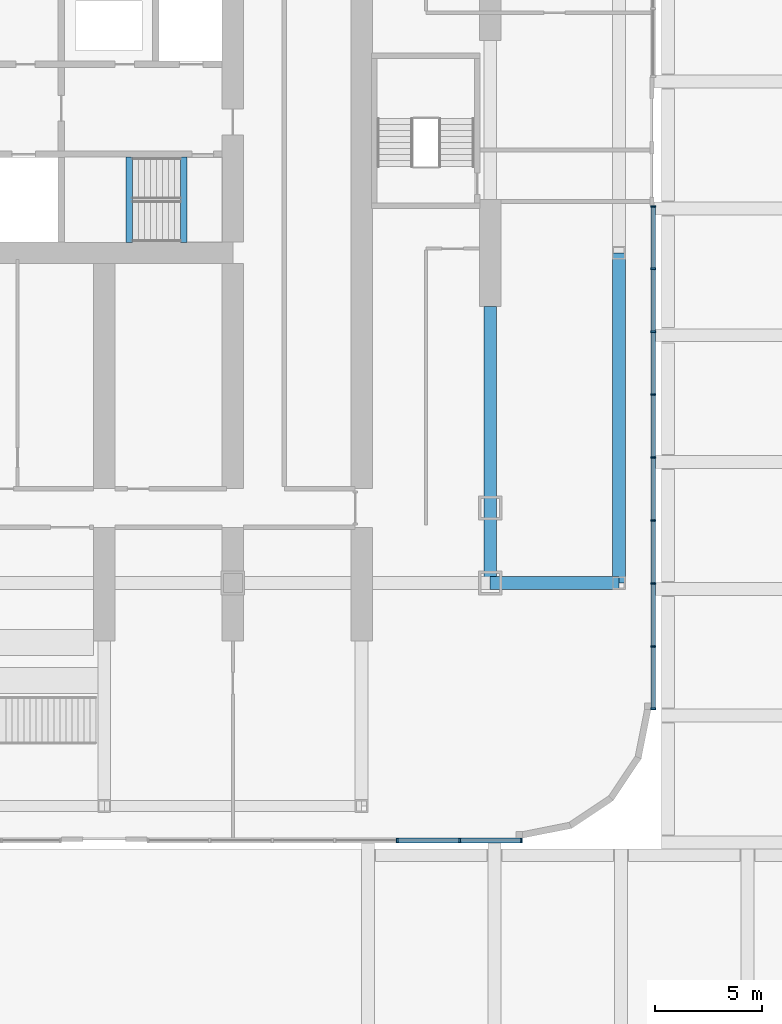
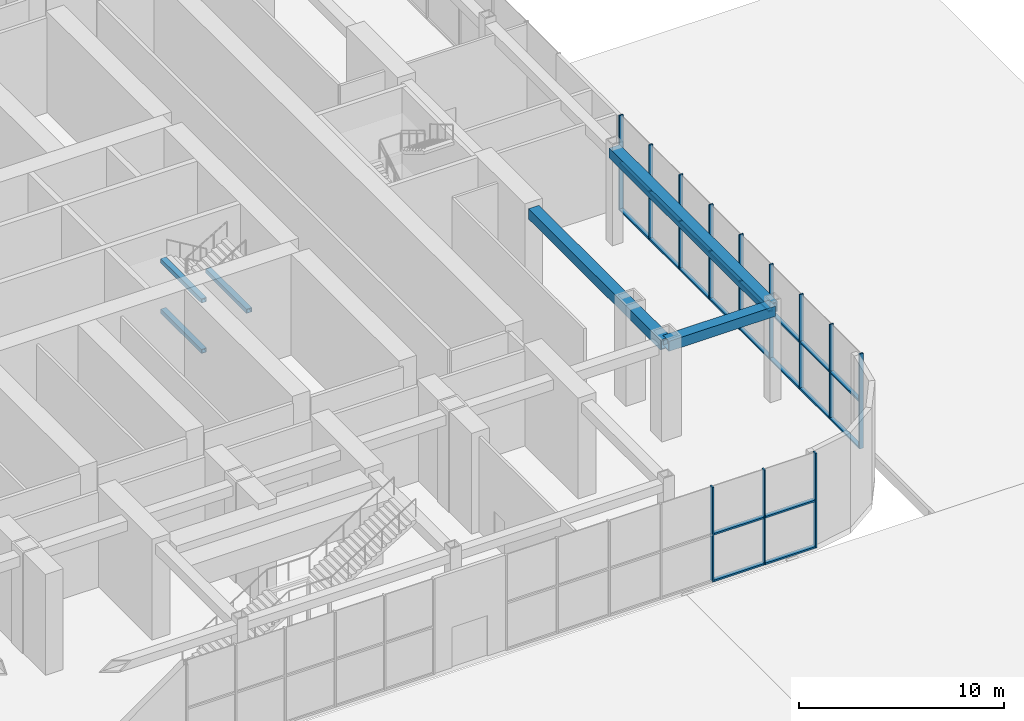
# One storey, part 10 of 57: 32 members, 6 beams, 2 elements without a shape of their own.
"""IFC4 building model written with IfcOpenShell, lengths in metres."""

from ifc_helpers import new_model, si_unit, direction, frame, origin, origin_2d, place, context, subcontext, project, spatial, rectangle, hollow_rectangle, extrude, material, material_profile, profile_set, type_object, element, aggregate, save


model = new_model("IFC4")

# Units and contexts
model_context = context("Model", 3, precision=1e-05, world=origin(), true_north=direction((0.0, 1.0)))
body_context = subcontext(model_context, "Body", "Model", "MODEL_VIEW")
ifc_project = project(units=[si_unit("LENGTHUNIT", "METRE"), si_unit("AREAUNIT", "SQUARE_METRE"), si_unit("VOLUMEUNIT", "CUBIC_METRE"), si_unit("PLANEANGLEUNIT", "RADIAN"), si_unit("MASSUNIT", "GRAM", prefix="KILO")], contexts=[model_context])

# Site, building, storey
site_placement = place(None, origin())
site = spatial("IfcSite", under=ifc_project, at=site_placement, CompositionType="ELEMENT")
building_placement = place(site_placement, origin())
building = spatial("IfcBuilding", under=site, at=building_placement, Name="Orbita Commons", CompositionType="ELEMENT")
storey_placement = place(building_placement, origin())
storey = spatial("IfcBuildingStorey", under=building, at=storey_placement, Name="L00", CompositionType="ELEMENT", Elevation=0.0)

# Curtain wall, members
ifc_material_1 = material(Name="Anodised aluminium frame, pale silver", Category="aluminium")
curtain_wall_type = type_object("IfcCurtainWallType", Name="Lobby curtain wall CW-L", PredefinedType="NOTDEFINED", material=ifc_material_1)
curtain_wall_1_placement = place(storey_placement, origin())
curtain_wall_1 = element("IfcCurtainWall", 1, at=curtain_wall_1_placement, inside=storey, type_object=curtain_wall_type, Name="Curtain wall S 4 L00", PredefinedType="NOTDEFINED")
ifc_material_2 = material(Name="Anodised aluminium, pale silver", Category="aluminium")
ifc_material_profile_1 = material_profile(ifc_material_2, rectangle(XDim=0.080078125, YDim=0.219970703125, at=origin_2d()), Name="AL 80x220")
ifc_profile_set_1 = profile_set([ifc_material_profile_1], Name="Anodised aluminium, pale silver")
member_type_1 = type_object("IfcMemberType", Name="Curtain wall mullion 80x220", PredefinedType="MULLION", material=ifc_profile_set_1)
member_1_placement = place(storey_placement, frame((73.666748046875, -1.610107421875, 0.0), z_axis=(0.0, 0.0, 1.0), x_axis=(1.0, 0.0, 0.0)))
member_1 = element("IfcMember", 2, at=member_1_placement, type_object=member_type_1, Name="Mullion 5 CW-L00-S3", PredefinedType="MULLION", context=body_context, shape_type="SweptSolid", body=[
    extrude(rectangle(XDim=0.080078125, YDim=0.219970703125, at=origin_2d()), origin(), (0.0, 0.0, 1.0), 5.64990234375),
])
member_2_placement = place(storey_placement, frame((76.583251953125, -1.610107421875, 0.0), z_axis=(0.0, 0.0, 1.0), x_axis=(1.0, 0.0, 0.0)))
member_2 = element("IfcMember", 3, at=member_2_placement, type_object=member_type_1, Name="Mullion 6 CW-L00-S3", PredefinedType="MULLION", context=body_context, shape_type="SweptSolid", body=[
    extrude(rectangle(XDim=0.080078125, YDim=0.219970703125, at=origin_2d()), origin(), (0.0, 0.0, 1.0), 5.64990234375),
])
member_3_placement = place(storey_placement, frame((79.4599609375, -1.610107421875, 0.0), z_axis=(0.0, 0.0, 1.0), x_axis=(1.0, 0.0, 0.0)))
member_3 = element("IfcMember", 4, at=member_3_placement, type_object=member_type_1, Name="Mullion 7 CW-L00-S3", PredefinedType="MULLION", context=body_context, shape_type="SweptSolid", body=[
    extrude(rectangle(XDim=0.080078125, YDim=0.219970703125, at=origin_2d()), origin(), (0.0, 0.0, 1.0), 5.64990234375),
])

curtain_wall_2_placement = place(storey_placement, origin())
curtain_wall_2 = element("IfcCurtainWall", 5, at=curtain_wall_2_placement, inside=storey, type_object=curtain_wall_type, Name="Curtain wall E 1 L00", PredefinedType="NOTDEFINED")
member_4_placement = place(storey_placement, frame((85.610107421875, 4.5400390625, 0.0), z_axis=(0.0, 0.0, 1.0), x_axis=(0.0, 1.0, 0.0)))
member_4 = element("IfcMember", 6, at=member_4_placement, type_object=member_type_1, Name="Mullion 1 CW-L00-E0", PredefinedType="MULLION", context=body_context, shape_type="SweptSolid", body=[
    extrude(rectangle(XDim=0.080078125, YDim=0.219970703125, at=origin_2d()), origin(), (0.0, 0.0, 1.0), 5.64990234375),
])
member_5_placement = place(storey_placement, frame((85.610107421875, 7.4375, 0.0), z_axis=(0.0, 0.0, 1.0), x_axis=(0.0, 1.0, 0.0)))
member_5 = element("IfcMember", 7, at=member_5_placement, type_object=member_type_1, Name="Mullion 2 CW-L00-E0", PredefinedType="MULLION", context=body_context, shape_type="SweptSolid", body=[
    extrude(rectangle(XDim=0.080078125, YDim=0.219970703125, at=origin_2d()), origin(), (0.0, 0.0, 1.0), 5.64990234375),
])
member_6_placement = place(storey_placement, frame((85.610107421875, 10.375, 0.0), z_axis=(0.0, 0.0, 1.0), x_axis=(0.0, 1.0, 0.0)))
member_6 = element("IfcMember", 8, at=member_6_placement, type_object=member_type_1, Name="Mullion 3 CW-L00-E0", PredefinedType="MULLION", context=body_context, shape_type="SweptSolid", body=[
    extrude(rectangle(XDim=0.080078125, YDim=0.219970703125, at=origin_2d()), origin(), (0.0, 0.0, 1.0), 5.64990234375),
])
member_7_placement = place(storey_placement, frame((85.610107421875, 13.3125, 0.0), z_axis=(0.0, 0.0, 1.0), x_axis=(0.0, 1.0, 0.0)))
member_7 = element("IfcMember", 9, at=member_7_placement, type_object=member_type_1, Name="Mullion 4 CW-L00-E0", PredefinedType="MULLION", context=body_context, shape_type="SweptSolid", body=[
    extrude(rectangle(XDim=0.080078125, YDim=0.219970703125, at=origin_2d()), origin(), (0.0, 0.0, 1.0), 5.64990234375),
])
member_8_placement = place(storey_placement, frame((85.610107421875, 16.25, 0.0), z_axis=(0.0, 0.0, 1.0), x_axis=(0.0, 1.0, 0.0)))
member_8 = element("IfcMember", 10, at=member_8_placement, type_object=member_type_1, Name="Mullion 5 CW-L00-E0", PredefinedType="MULLION", context=body_context, shape_type="SweptSolid", body=[
    extrude(rectangle(XDim=0.080078125, YDim=0.219970703125, at=origin_2d()), origin(), (0.0, 0.0, 1.0), 5.64990234375),
])
member_9_placement = place(storey_placement, frame((85.610107421875, 19.1875, 0.0), z_axis=(0.0, 0.0, 1.0), x_axis=(0.0, 1.0, 0.0)))
member_9 = element("IfcMember", 11, at=member_9_placement, type_object=member_type_1, Name="Mullion 6 CW-L00-E0", PredefinedType="MULLION", context=body_context, shape_type="SweptSolid", body=[
    extrude(rectangle(XDim=0.080078125, YDim=0.219970703125, at=origin_2d()), origin(), (0.0, 0.0, 1.0), 5.64990234375),
])
member_10_placement = place(storey_placement, frame((85.610107421875, 22.125, 0.0), z_axis=(0.0, 0.0, 1.0), x_axis=(0.0, 1.0, 0.0)))
member_10 = element("IfcMember", 12, at=member_10_placement, type_object=member_type_1, Name="Mullion 7 CW-L00-E0", PredefinedType="MULLION", context=body_context, shape_type="SweptSolid", body=[
    extrude(rectangle(XDim=0.080078125, YDim=0.219970703125, at=origin_2d()), origin(), (0.0, 0.0, 1.0), 5.64990234375),
])
member_11_placement = place(storey_placement, frame((85.610107421875, 25.0625, 0.0), z_axis=(0.0, 0.0, 1.0), x_axis=(0.0, 1.0, 0.0)))
member_11 = element("IfcMember", 13, at=member_11_placement, type_object=member_type_1, Name="Mullion 8 CW-L00-E0", PredefinedType="MULLION", context=body_context, shape_type="SweptSolid", body=[
    extrude(rectangle(XDim=0.080078125, YDim=0.219970703125, at=origin_2d()), origin(), (0.0, 0.0, 1.0), 5.64990234375),
])
member_12_placement = place(storey_placement, frame((85.610107421875, 27.9599609375, 0.0), z_axis=(0.0, 0.0, 1.0), x_axis=(0.0, 1.0, 0.0)))
member_12 = element("IfcMember", 14, at=member_12_placement, type_object=member_type_1, Name="Mullion 9 CW-L00-E0", PredefinedType="MULLION", context=body_context, shape_type="SweptSolid", body=[
    extrude(rectangle(XDim=0.080078125, YDim=0.219970703125, at=origin_2d()), origin(), (0.0, 0.0, 1.0), 5.64990234375),
])

# Member
ifc_material_3 = material(Name="Anodised aluminium, pale silver", Category="aluminium")
ifc_material_profile_2 = material_profile(ifc_material_3, rectangle(XDim=0.219970703125, YDim=0.10009765625, at=origin_2d()), Name="AL 220x100")
ifc_profile_set_2 = profile_set([ifc_material_profile_2], Name="Anodised aluminium, pale silver")
member_type_2 = type_object("IfcMemberType", Name="Curtain wall stack transom 220x100", PredefinedType="USERDEFINED", material=ifc_profile_set_2)
member_13_placement = place(storey_placement, frame((73.706787109375, -1.610107421875, 0.050048828125), z_axis=(1.0, 0.0, 0.0), x_axis=(0.0, 1.0, 0.0)))
member_13 = element("IfcMember", 15, at=member_13_placement, type_object=member_type_2, Name="Transom 5.1 CW-L00-S3", ObjectType="TRANSOM", PredefinedType="USERDEFINED", context=body_context, shape_type="SweptSolid", body=[
    extrude(rectangle(XDim=0.219970703125, YDim=0.10009765625, at=origin_2d()), origin(), (0.0, 0.0, 1.0), 2.83642578125),
])

member_14_placement = place(storey_placement, frame((73.706787109375, -1.610107421875, 2.824951171875), z_axis=(1.0, 0.0, 0.0), x_axis=(0.0, 1.0, 0.0)))
member_14 = element("IfcMember", 16, at=member_14_placement, type_object=member_type_2, Name="Transom 5.2 CW-L00-S3", ObjectType="TRANSOM", PredefinedType="USERDEFINED", context=body_context, shape_type="SweptSolid", body=[
    extrude(rectangle(XDim=0.219970703125, YDim=0.10009765625, at=origin_2d()), origin(), (0.0, 0.0, 1.0), 2.83642578125),
])

member_15_placement = place(storey_placement, frame((76.623291015625, -1.610107421875, 0.050048828125), z_axis=(1.0, 0.0, 0.0), x_axis=(0.0, 1.0, 0.0)))
member_15 = element("IfcMember", 17, at=member_15_placement, type_object=member_type_2, Name="Transom 6.1 CW-L00-S3", ObjectType="TRANSOM", PredefinedType="USERDEFINED", context=body_context, shape_type="SweptSolid", body=[
    extrude(rectangle(XDim=0.219970703125, YDim=0.10009765625, at=origin_2d()), origin(), (0.0, 0.0, 1.0), 2.796630859375),
])

member_16_placement = place(storey_placement, frame((76.623291015625, -1.610107421875, 2.824951171875), z_axis=(1.0, 0.0, 0.0), x_axis=(0.0, 1.0, 0.0)))
member_16 = element("IfcMember", 18, at=member_16_placement, type_object=member_type_2, Name="Transom 6.2 CW-L00-S3", ObjectType="TRANSOM", PredefinedType="USERDEFINED", context=body_context, shape_type="SweptSolid", body=[
    extrude(rectangle(XDim=0.219970703125, YDim=0.10009765625, at=origin_2d()), origin(), (0.0, 0.0, 1.0), 2.796630859375),
])

aggregate(curtain_wall_1, [member_1, member_2, member_3, member_13, member_14, member_15, member_16])

member_17_placement = place(storey_placement, frame((85.610107421875, 4.580078125, 0.050048828125), z_axis=(0.0, 1.0, 0.0), x_axis=(-1.0, 0.0, 0.0)))
member_17 = element("IfcMember", 19, at=member_17_placement, type_object=member_type_2, Name="Transom 1.1 CW-L00-E0", ObjectType="TRANSOM", PredefinedType="USERDEFINED", context=body_context, shape_type="SweptSolid", body=[
    extrude(rectangle(XDim=0.219970703125, YDim=0.10009765625, at=origin_2d()), origin(), (0.0, 0.0, 1.0), 2.8173828125),
])

member_18_placement = place(storey_placement, frame((85.610107421875, 4.580078125, 2.824951171875), z_axis=(0.0, 1.0, 0.0), x_axis=(-1.0, 0.0, 0.0)))
member_18 = element("IfcMember", 20, at=member_18_placement, type_object=member_type_2, Name="Transom 1.2 CW-L00-E0", ObjectType="TRANSOM", PredefinedType="USERDEFINED", context=body_context, shape_type="SweptSolid", body=[
    extrude(rectangle(XDim=0.219970703125, YDim=0.10009765625, at=origin_2d()), origin(), (0.0, 0.0, 1.0), 2.8173828125),
])

member_19_placement = place(storey_placement, frame((85.610107421875, 7.4775390625, 0.050048828125), z_axis=(0.0, 1.0, 0.0), x_axis=(-1.0, 0.0, 0.0)))
member_19 = element("IfcMember", 21, at=member_19_placement, type_object=member_type_2, Name="Transom 2.1 CW-L00-E0", ObjectType="TRANSOM", PredefinedType="USERDEFINED", context=body_context, shape_type="SweptSolid", body=[
    extrude(rectangle(XDim=0.219970703125, YDim=0.10009765625, at=origin_2d()), origin(), (0.0, 0.0, 1.0), 2.857421875),
])

member_20_placement = place(storey_placement, frame((85.610107421875, 7.4775390625, 2.824951171875), z_axis=(0.0, 1.0, 0.0), x_axis=(-1.0, 0.0, 0.0)))
member_20 = element("IfcMember", 22, at=member_20_placement, type_object=member_type_2, Name="Transom 2.2 CW-L00-E0", ObjectType="TRANSOM", PredefinedType="USERDEFINED", context=body_context, shape_type="SweptSolid", body=[
    extrude(rectangle(XDim=0.219970703125, YDim=0.10009765625, at=origin_2d()), origin(), (0.0, 0.0, 1.0), 2.857421875),
])

member_21_placement = place(storey_placement, frame((85.610107421875, 10.4150390625, 0.050048828125), z_axis=(0.0, 1.0, 0.0), x_axis=(-1.0, 0.0, 0.0)))
member_21 = element("IfcMember", 23, at=member_21_placement, type_object=member_type_2, Name="Transom 3.1 CW-L00-E0", ObjectType="TRANSOM", PredefinedType="USERDEFINED", context=body_context, shape_type="SweptSolid", body=[
    extrude(rectangle(XDim=0.219970703125, YDim=0.10009765625, at=origin_2d()), origin(), (0.0, 0.0, 1.0), 2.857421875),
])

member_22_placement = place(storey_placement, frame((85.610107421875, 10.4150390625, 2.824951171875), z_axis=(0.0, 1.0, 0.0), x_axis=(-1.0, 0.0, 0.0)))
member_22 = element("IfcMember", 24, at=member_22_placement, type_object=member_type_2, Name="Transom 3.2 CW-L00-E0", ObjectType="TRANSOM", PredefinedType="USERDEFINED", context=body_context, shape_type="SweptSolid", body=[
    extrude(rectangle(XDim=0.219970703125, YDim=0.10009765625, at=origin_2d()), origin(), (0.0, 0.0, 1.0), 2.857421875),
])

member_23_placement = place(storey_placement, frame((85.610107421875, 13.3525390625, 0.050048828125), z_axis=(0.0, 1.0, 0.0), x_axis=(-1.0, 0.0, 0.0)))
member_23 = element("IfcMember", 25, at=member_23_placement, type_object=member_type_2, Name="Transom 4.1 CW-L00-E0", ObjectType="TRANSOM", PredefinedType="USERDEFINED", context=body_context, shape_type="SweptSolid", body=[
    extrude(rectangle(XDim=0.219970703125, YDim=0.10009765625, at=origin_2d()), origin(), (0.0, 0.0, 1.0), 2.857421875),
])

member_24_placement = place(storey_placement, frame((85.610107421875, 13.3525390625, 2.824951171875), z_axis=(0.0, 1.0, 0.0), x_axis=(-1.0, 0.0, 0.0)))
member_24 = element("IfcMember", 26, at=member_24_placement, type_object=member_type_2, Name="Transom 4.2 CW-L00-E0", ObjectType="TRANSOM", PredefinedType="USERDEFINED", context=body_context, shape_type="SweptSolid", body=[
    extrude(rectangle(XDim=0.219970703125, YDim=0.10009765625, at=origin_2d()), origin(), (0.0, 0.0, 1.0), 2.857421875),
])

member_25_placement = place(storey_placement, frame((85.610107421875, 16.2900390625, 0.050048828125), z_axis=(0.0, 1.0, 0.0), x_axis=(-1.0, 0.0, 0.0)))
member_25 = element("IfcMember", 27, at=member_25_placement, type_object=member_type_2, Name="Transom 5.1 CW-L00-E0", ObjectType="TRANSOM", PredefinedType="USERDEFINED", context=body_context, shape_type="SweptSolid", body=[
    extrude(rectangle(XDim=0.219970703125, YDim=0.10009765625, at=origin_2d()), origin(), (0.0, 0.0, 1.0), 2.857421875),
])

member_26_placement = place(storey_placement, frame((85.610107421875, 16.2900390625, 2.824951171875), z_axis=(0.0, 1.0, 0.0), x_axis=(-1.0, 0.0, 0.0)))
member_26 = element("IfcMember", 28, at=member_26_placement, type_object=member_type_2, Name="Transom 5.2 CW-L00-E0", ObjectType="TRANSOM", PredefinedType="USERDEFINED", context=body_context, shape_type="SweptSolid", body=[
    extrude(rectangle(XDim=0.219970703125, YDim=0.10009765625, at=origin_2d()), origin(), (0.0, 0.0, 1.0), 2.857421875),
])

member_27_placement = place(storey_placement, frame((85.610107421875, 19.2275390625, 0.050048828125), z_axis=(0.0, 1.0, 0.0), x_axis=(-1.0, 0.0, 0.0)))
member_27 = element("IfcMember", 29, at=member_27_placement, type_object=member_type_2, Name="Transom 6.1 CW-L00-E0", ObjectType="TRANSOM", PredefinedType="USERDEFINED", context=body_context, shape_type="SweptSolid", body=[
    extrude(rectangle(XDim=0.219970703125, YDim=0.10009765625, at=origin_2d()), origin(), (0.0, 0.0, 1.0), 2.857421875),
])

member_28_placement = place(storey_placement, frame((85.610107421875, 19.2275390625, 2.824951171875), z_axis=(0.0, 1.0, 0.0), x_axis=(-1.0, 0.0, 0.0)))
member_28 = element("IfcMember", 30, at=member_28_placement, type_object=member_type_2, Name="Transom 6.2 CW-L00-E0", ObjectType="TRANSOM", PredefinedType="USERDEFINED", context=body_context, shape_type="SweptSolid", body=[
    extrude(rectangle(XDim=0.219970703125, YDim=0.10009765625, at=origin_2d()), origin(), (0.0, 0.0, 1.0), 2.857421875),
])

member_29_placement = place(storey_placement, frame((85.610107421875, 22.1650390625, 0.050048828125), z_axis=(0.0, 1.0, 0.0), x_axis=(-1.0, 0.0, 0.0)))
member_29 = element("IfcMember", 31, at=member_29_placement, type_object=member_type_2, Name="Transom 7.1 CW-L00-E0", ObjectType="TRANSOM", PredefinedType="USERDEFINED", context=body_context, shape_type="SweptSolid", body=[
    extrude(rectangle(XDim=0.219970703125, YDim=0.10009765625, at=origin_2d()), origin(), (0.0, 0.0, 1.0), 2.857421875),
])

member_30_placement = place(storey_placement, frame((85.610107421875, 22.1650390625, 2.824951171875), z_axis=(0.0, 1.0, 0.0), x_axis=(-1.0, 0.0, 0.0)))
member_30 = element("IfcMember", 32, at=member_30_placement, type_object=member_type_2, Name="Transom 7.2 CW-L00-E0", ObjectType="TRANSOM", PredefinedType="USERDEFINED", context=body_context, shape_type="SweptSolid", body=[
    extrude(rectangle(XDim=0.219970703125, YDim=0.10009765625, at=origin_2d()), origin(), (0.0, 0.0, 1.0), 2.857421875),
])

member_31_placement = place(storey_placement, frame((85.610107421875, 25.1025390625, 0.050048828125), z_axis=(0.0, 1.0, 0.0), x_axis=(-1.0, 0.0, 0.0)))
member_31 = element("IfcMember", 33, at=member_31_placement, type_object=member_type_2, Name="Transom 8.1 CW-L00-E0", ObjectType="TRANSOM", PredefinedType="USERDEFINED", context=body_context, shape_type="SweptSolid", body=[
    extrude(rectangle(XDim=0.219970703125, YDim=0.10009765625, at=origin_2d()), origin(), (0.0, 0.0, 1.0), 2.8173828125),
])

member_32_placement = place(storey_placement, frame((85.610107421875, 25.1025390625, 2.824951171875), z_axis=(0.0, 1.0, 0.0), x_axis=(-1.0, 0.0, 0.0)))
member_32 = element("IfcMember", 34, at=member_32_placement, type_object=member_type_2, Name="Transom 8.2 CW-L00-E0", ObjectType="TRANSOM", PredefinedType="USERDEFINED", context=body_context, shape_type="SweptSolid", body=[
    extrude(rectangle(XDim=0.219970703125, YDim=0.10009765625, at=origin_2d()), origin(), (0.0, 0.0, 1.0), 2.8173828125),
])

aggregate(curtain_wall_2, [member_4, member_5, member_6, member_7, member_8, member_9, member_10, member_11, member_12, member_17, member_18, member_19, member_20, member_21, member_22, member_23, member_24, member_25, member_26, member_27, member_28, member_29, member_30, member_31, member_32])

# Beams
ifc_material_4 = material(Name="Steel ASTM A572 Gr 50 welded plate", Category="steel")
ifc_material_profile_3 = material_profile(ifc_material_4, hollow_rectangle(XDim=0.300048828125, YDim=0.25, WallThickness=0.02490234375, at=origin_2d()), Name="BOX 250x300x25")
ifc_profile_set_3 = profile_set([ifc_material_profile_3], Name="Steel ASTM A572 Gr 50 welded plate")
beam_type_1 = type_object("IfcBeamType", Name="Stair landing beam steel BOX 250x300x25", PredefinedType="BEAM", material=ifc_profile_set_3)
for number, where, z_axis, x_axis, name in (
    (35, (61.159912109375, 26.284912109375, 1.175048828125), (0.0, 1.0, 0.0), (-1.0, 0.0, 0.0), "Stair S2 landing beam L00 1"),
    (36, (63.699951171875, 26.284912109375, 2.675048828125), (0.0, 1.0, 0.0), (-1.0, 0.0, 0.0), "Stair S2 landing beam L00 2"),
    (37, (61.159912109375, 26.284912109375, 4.175048828125), (0.0, 1.0, 0.0), (-1.0, 0.0, 0.0), "Stair S2 landing beam L00 3"),
):
    element("IfcBeam", number, at=place(storey_placement, frame(where, z_axis=z_axis, x_axis=x_axis)), inside=storey, type_object=beam_type_1, Name=name, PredefinedType="BEAM", context=body_context, shape_type="SweptSolid", body=[
        extrude(hollow_rectangle(XDim=0.300048828125, YDim=0.25, WallThickness=0.02490234375, at=origin_2d()), origin(), (0.0, 0.0, 1.0), 3.97998046875),
    ])
ifc_material_5 = material(Name="Steel ASTM A572 Gr 50 welded plate", Category="steel")
ifc_material_profile_4 = material_profile(ifc_material_5, hollow_rectangle(XDim=0.60009765625, YDim=0.60009765625, WallThickness=0.06005859375, at=origin_2d()), Name="BOX 600x600x60")
ifc_profile_set_4 = profile_set([ifc_material_profile_4], Name="Steel ASTM A572 Gr 50 welded plate")
beam_type_2 = type_object("IfcBeamType", Name="Steel podium beam BOX 600x600x60", PredefinedType="BEAM", material=ifc_profile_set_4)
beam_1_placement = place(storey_placement, frame((78.0, 10.39990234375, 5.35009765625), z_axis=(1.0, 0.0, 0.0), x_axis=(0.0, 1.0, 0.0)))
element("IfcBeam", 38, at=beam_1_placement, inside=storey, type_object=beam_type_2, Name="Podium beam B 14-15 L00", PredefinedType="BEAM", context=body_context, shape_type="SweptSolid", body=[
    extrude(hollow_rectangle(XDim=0.60009765625, YDim=0.60009765625, WallThickness=0.06005859375, at=origin_2d()), origin(), (0.0, 0.0, 1.0), 6.0),
])
beam_2_placement = place(storey_placement, frame((84.0, 10.39990234375, 5.35009765625), z_axis=(0.0, 1.0, 0.0), x_axis=(-1.0, 0.0, 0.0)))
element("IfcBeam", 39, at=beam_2_placement, inside=storey, type_object=beam_type_2, Name="Podium beam 15 B-C L00", PredefinedType="BEAM", context=body_context, shape_type="SweptSolid", body=[
    extrude(hollow_rectangle(XDim=0.60009765625, YDim=0.60009765625, WallThickness=0.06005859375, at=origin_2d()), origin(), (0.0, 0.0, 1.0), 15.400146484375),
])
beam_3_placement = place(storey_placement, frame((78.0, 10.39990234375, 5.35009765625), z_axis=(0.0, 1.0, 0.0), x_axis=(-1.0, 0.0, 0.0)))
element("IfcBeam", 40, at=beam_3_placement, inside=storey, type_object=beam_type_2, Name="Podium beam 14 B-C L00", PredefinedType="BEAM", context=body_context, shape_type="SweptSolid", body=[
    extrude(hollow_rectangle(XDim=0.60009765625, YDim=0.60009765625, WallThickness=0.06005859375, at=origin_2d()), origin(), (0.0, 0.0, 1.0), 12.900146484375),
])

save(model, "model.ifc")
